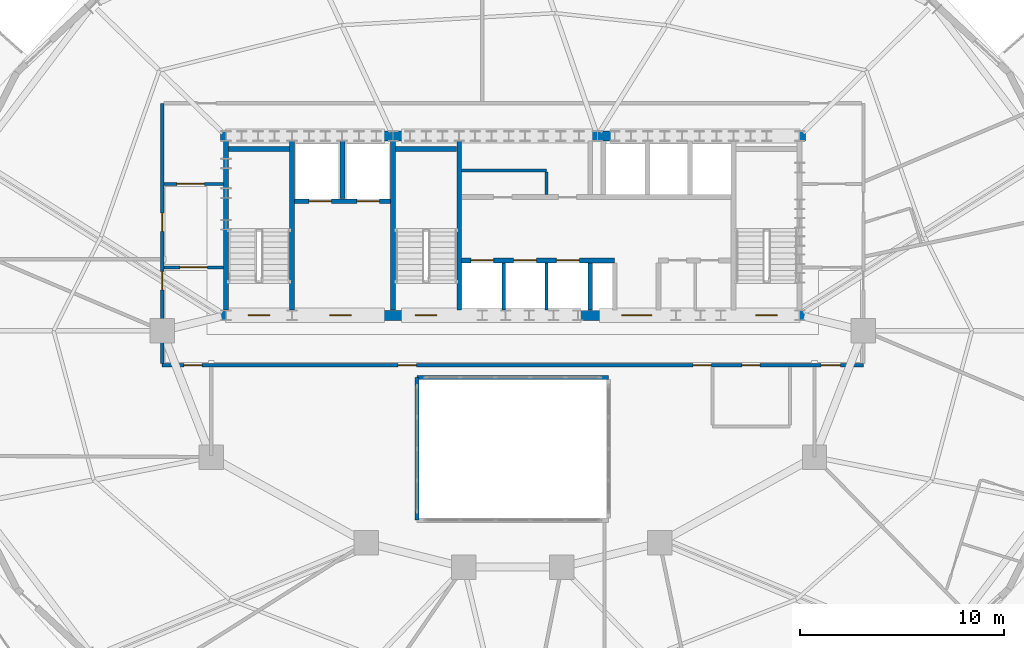
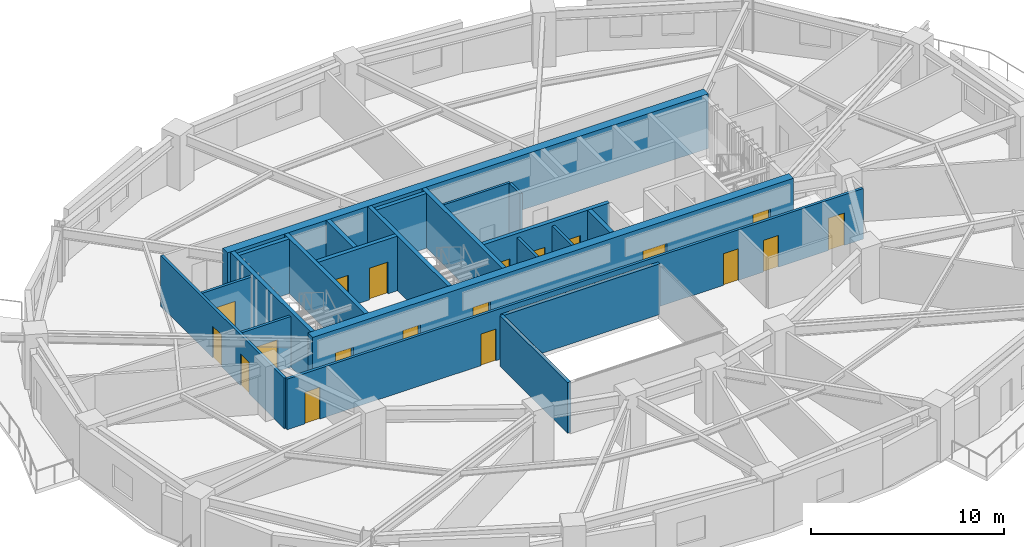
# One storey, part 7 of 12: 22 walls, 19 doors, 19 openings.
"""IFC4 building model written with IfcOpenShell, lengths in metres."""

from ifc_helpers import new_model, si_unit, direction, frame, frame_2d, origin, place, context, subcontext, project, spatial, rectangle, extrude, material, layer, layer_set, type_object, element, fill, save


model = new_model("IFC4")

# Units and contexts
model_context = context("Model", 3, precision=1e-05, world=origin(), true_north=direction((0.0, 1.0)))
body_context = subcontext(model_context, "Body", "Model", "MODEL_VIEW")
ifc_project = project(units=[si_unit("LENGTHUNIT", "METRE"), si_unit("AREAUNIT", "SQUARE_METRE"), si_unit("VOLUMEUNIT", "CUBIC_METRE"), si_unit("PLANEANGLEUNIT", "RADIAN"), si_unit("MASSUNIT", "GRAM", prefix="KILO")], contexts=[model_context])

# Site, building, storey
site_placement = place(None, origin())
site = spatial("IfcSite", under=ifc_project, at=site_placement, CompositionType="ELEMENT")
building_placement = place(site_placement, origin())
building = spatial("IfcBuilding", under=site, at=building_placement, Name="Haldorwick Loom Tower", CompositionType="ELEMENT")
storey_placement = place(building_placement, frame((0.0, 0.0, 113.89990234375)))
storey = spatial("IfcBuildingStorey", under=building, at=storey_placement, Name="L30", CompositionType="ELEMENT", Elevation=113.89990234375)

# Wall, openings, doors
ifc_material_1 = material(Name="Fire-Rated Type X Gypsum Stud Assembly EI 60")
ifc_layer_1 = layer(ifc_material_1, 0.159912109375, Name="Fire-Rated Type X Gypsum Stud Assembly EI 60")
ifc_layer_set_1 = layer_set([ifc_layer_1], Name="Fire-Rated Type X Gypsum Stud Assembly EI 60")
wall_type_1 = type_object("IfcWallType", Name="ARC-WL-FIRE160", PredefinedType="PARTITIONING", material=ifc_layer_set_1)
wall_1_placement = place(storey_placement, frame((18.800048828125, 24.300048828125, 0.0), z_axis=(0.0, 0.0, 1.0), x_axis=(1.0, 0.0, 0.0)))
wall_1 = element("IfcWall", 1, at=wall_1_placement, inside=storey, type_object=wall_type_1, Name="L30 Residential Fire Partition L30-CR-SP", PredefinedType="PARTITIONING", context=body_context, shape_type="SweptSolid", body=[
    extrude(rectangle(XDim=34.39990234375, YDim=0.159912109375, at=frame_2d((17.199951171875, 0.0))), origin(), (0.0, 0.0, 1.0), 3.195068359375),
])
opening_1_placement = place(wall_1_placement, frame((11.56787109375, 0.0, 0.0)))
opening_1 = element("IfcOpeningElement", 2, at=opening_1_placement, cuts=wall_1, Name="Opening D-FD60A", PredefinedType="OPENING", context=body_context, shape_type="SweptSolid", body=[
    extrude(rectangle(XDim=0.89990234375, YDim=2.0, at=frame_2d((0.449951171875, 1.0))), frame((0.0, 0.08984375, 0.0), z_axis=(0.0, -1.0, 0.0), x_axis=(1.0, 0.0, 0.0)), (0.0, 0.0, 1.0), 0.179931640625),
])
opening_2_placement = place(wall_1_placement, frame((26.04150390625, 0.0, 0.0)))
opening_2 = element("IfcOpeningElement", 3, at=opening_2_placement, cuts=wall_1, Name="Opening D-FD60A", PredefinedType="OPENING", context=body_context, shape_type="SweptSolid", body=[
    extrude(rectangle(XDim=0.89990234375, YDim=2.0, at=frame_2d((0.449951171875, 1.0))), frame((0.0, 0.08984375, 0.0), z_axis=(0.0, -1.0, 0.0), x_axis=(1.0, 0.0, 0.0)), (0.0, 0.0, 1.0), 0.179931640625),
])
opening_3_placement = place(wall_1_placement, frame((28.437255859375, 0.0, 0.0)))
opening_3 = element("IfcOpeningElement", 4, at=opening_3_placement, cuts=wall_1, Name="Opening D-FD60A", PredefinedType="OPENING", context=body_context, shape_type="SweptSolid", body=[
    extrude(rectangle(XDim=0.89990234375, YDim=2.0, at=frame_2d((0.449951171875, 1.0))), frame((0.0, 0.08984375, 0.0), z_axis=(0.0, -1.0, 0.0), x_axis=(1.0, 0.0, 0.0)), (0.0, 0.0, 1.0), 0.179931640625),
])
opening_4_placement = place(wall_1_placement, frame((1.063232421875, 0.0, 0.0)))
opening_4 = element("IfcOpeningElement", 5, at=opening_4_placement, cuts=wall_1, Name="Opening D-FD60A", PredefinedType="OPENING", context=body_context, shape_type="SweptSolid", body=[
    extrude(rectangle(XDim=0.89990234375, YDim=2.0, at=frame_2d((0.449951171875, 1.0))), frame((0.0, 0.08984375, 0.0), z_axis=(0.0, -1.0, 0.0), x_axis=(1.0, 0.0, 0.0)), (0.0, 0.0, 1.0), 0.179931640625),
])
opening_5_placement = place(wall_1_placement, frame((32.319091796875, 0.0, 0.0)))
opening_5 = element("IfcOpeningElement", 6, at=opening_5_placement, cuts=wall_1, Name="Opening D-FL95", PredefinedType="OPENING", context=body_context, shape_type="SweptSolid", body=[
    extrude(rectangle(XDim=0.949951171875, YDim=2.0400390625, at=frame_2d((0.47509765625, 1.02001953125))), frame((0.0, 0.08984375, 0.0), z_axis=(0.0, -1.0, 0.0), x_axis=(1.0, 0.0, 0.0)), (0.0, 0.0, 1.0), 0.179931640625),
])
ifc_material_2 = material(Name="Hollow Steel Fire Door Assembly", Category="steel")
door_type_1 = type_object("IfcDoorType", Name="ARC-DR-FD60-90", OperationType="NOTDEFINED", PredefinedType="DOOR", material=ifc_material_2)
door_1_placement = place(opening_1_placement, origin())
door_1 = element("IfcDoor", 7, at=door_1_placement, inside=storey, type_object=door_type_1, Name="L30 L30 Central Residential Corridor to Tenant Seminar Meeting Room 1 Do", OperationType="SINGLE_SWING_LEFT", OverallHeight=2.0, OverallWidth=0.89990234375, PredefinedType="DOOR", context=body_context, shape_type="SweptSolid", body=[
    extrude(rectangle(XDim=0.89990234375, YDim=2.0, at=frame_2d((0.449951171875, 1.0))), frame((0.0, 0.02490234375, 0.0), z_axis=(0.0, -1.0, 0.0), x_axis=(1.0, 0.0, 0.0)), (0.0, 0.0, 1.0), 0.050048828125),
])
fill(opening_1, door_1)
door_2_placement = place(opening_2_placement, origin())
door_2 = element("IfcDoor", 8, at=door_2_placement, inside=storey, type_object=door_type_1, Name="L30 L30 Central Residential Corridor to Tenant Seminar Meeting Room 2 Do", OperationType="SINGLE_SWING_RIGHT", OverallHeight=2.0, OverallWidth=0.89990234375, PredefinedType="DOOR", context=body_context, shape_type="SweptSolid", body=[
    extrude(rectangle(XDim=0.89990234375, YDim=2.0, at=frame_2d((0.449951171875, 1.0))), frame((0.0, 0.02490234375, 0.0), z_axis=(0.0, -1.0, 0.0), x_axis=(1.0, 0.0, 0.0)), (0.0, 0.0, 1.0), 0.050048828125),
])
fill(opening_2, door_2)
door_3_placement = place(opening_3_placement, origin())
door_3 = element("IfcDoor", 9, at=door_3_placement, inside=storey, type_object=door_type_1, Name="L30 L30 Central Residential Corridor to Common Accessible WC Door", OperationType="SINGLE_SWING_LEFT", OverallHeight=2.0, OverallWidth=0.89990234375, PredefinedType="DOOR", context=body_context, shape_type="SweptSolid", body=[
    extrude(rectangle(XDim=0.89990234375, YDim=2.0, at=frame_2d((0.449951171875, 1.0))), frame((0.0, 0.02490234375, 0.0), z_axis=(0.0, -1.0, 0.0), x_axis=(1.0, 0.0, 0.0)), (0.0, 0.0, 1.0), 0.050048828125),
])
fill(opening_3, door_3)
door_4_placement = place(opening_4_placement, origin())
door_4 = element("IfcDoor", 10, at=door_4_placement, inside=storey, type_object=door_type_1, Name="L30 L30 Central Residential Corridor to Tenant Seminar Meeting Room 2 Do", OperationType="SINGLE_SWING_LEFT", OverallHeight=2.0, OverallWidth=0.89990234375, PredefinedType="DOOR", context=body_context, shape_type="SweptSolid", body=[
    extrude(rectangle(XDim=0.89990234375, YDim=2.0, at=frame_2d((0.449951171875, 1.0))), frame((0.0, 0.02490234375, 0.0), z_axis=(0.0, -1.0, 0.0), x_axis=(1.0, 0.0, 0.0)), (0.0, 0.0, 1.0), 0.050048828125),
])
fill(opening_4, door_4)
ifc_material_3 = material(Name="Solid Core Birch Architectural Door")
door_type_2 = type_object("IfcDoorType", Name="ARC-DR-FLAT95", OperationType="NOTDEFINED", PredefinedType="DOOR", material=ifc_material_3)
door_5_placement = place(opening_5_placement, origin())
door_5 = element("IfcDoor", 11, at=door_5_placement, inside=storey, type_object=door_type_2, Name="L30 L30 Central Residential Corridor to Unit 30A Kitchen and Penthouse L", OperationType="SINGLE_SWING_RIGHT", OverallHeight=2.0400390625, OverallWidth=0.949951171875, PredefinedType="DOOR", context=body_context, shape_type="SweptSolid", body=[
    extrude(rectangle(XDim=0.949951171875, YDim=2.0400390625, at=frame_2d((0.47509765625, 1.02001953125))), frame((0.0, 0.02490234375, 0.0), z_axis=(0.0, -1.0, 0.0), x_axis=(1.0, 0.0, 0.0)), (0.0, 0.0, 1.0), 0.050048828125),
])
fill(opening_5, door_5)

wall_2_placement = place(storey_placement, frame((18.800048828125, 24.383056640625, 0.0), z_axis=(0.0, 0.0, 1.0), x_axis=(0.0, 1.0, 0.0)))
wall_2 = element("IfcWall", 12, at=wall_2_placement, inside=storey, type_object=wall_type_1, Name="L30 Residential Fire Partition L30-CR-W0", PredefinedType="PARTITIONING", context=body_context, shape_type="SweptSolid", body=[
    extrude(rectangle(XDim=12.766845703125, YDim=0.159912109375, at=frame_2d((6.38330078125, 0.0))), origin(), (0.0, 0.0, 1.0), 3.195068359375),
])
opening_6_placement = place(wall_2_placement, frame((6.48388671875, 0.0, 0.0)))
opening_6 = element("IfcOpeningElement", 13, at=opening_6_placement, cuts=wall_2, Name="Opening D-FD60A", PredefinedType="OPENING", context=body_context, shape_type="SweptSolid", body=[
    extrude(rectangle(XDim=0.89990234375, YDim=2.0, at=frame_2d((0.449951171875, 1.0))), frame((0.0, 0.08984375, 0.0), z_axis=(0.0, -1.0, 0.0), x_axis=(1.0, 0.0, 0.0)), (0.0, 0.0, 1.0), 0.179931640625),
])
opening_7_placement = place(wall_2_placement, frame((3.62158203125, 0.0, 0.0)))
opening_7 = element("IfcOpeningElement", 14, at=opening_7_placement, cuts=wall_2, Name="Opening D-FD60A", PredefinedType="OPENING", context=body_context, shape_type="SweptSolid", body=[
    extrude(rectangle(XDim=0.89990234375, YDim=2.0, at=frame_2d((0.449951171875, 1.0))), frame((0.0, 0.08984375, 0.0), z_axis=(0.0, -1.0, 0.0), x_axis=(1.0, 0.0, 0.0)), (0.0, 0.0, 1.0), 0.179931640625),
])
door_6_placement = place(opening_6_placement, origin())
door_6 = element("IfcDoor", 15, at=door_6_placement, inside=storey, type_object=door_type_1, Name="L30 Tenant Seminar Meeting Room 6 to L30 West Residential Corridor Door", OperationType="SINGLE_SWING_RIGHT", OverallHeight=2.0, OverallWidth=0.89990234375, PredefinedType="DOOR", context=body_context, shape_type="SweptSolid", body=[
    extrude(rectangle(XDim=0.89990234375, YDim=2.0, at=frame_2d((0.449951171875, 1.0))), frame((0.0, 0.02490234375, 0.0), z_axis=(0.0, -1.0, 0.0), x_axis=(1.0, 0.0, 0.0)), (0.0, 0.0, 1.0), 0.050048828125),
])
fill(opening_6, door_6)
door_7_placement = place(opening_7_placement, frame((0.89990234375, 0.0, 0.0), z_axis=(0.0, 0.0, 1.0), x_axis=(-1.0, 0.0, 0.0)))
door_7 = element("IfcDoor", 16, at=door_7_placement, inside=storey, type_object=door_type_1, Name="L30 Community Library Room 1 to L30 Central Residential Corridor Door", OperationType="SINGLE_SWING_LEFT", OverallHeight=2.0, OverallWidth=0.89990234375, PredefinedType="DOOR", context=body_context, shape_type="SweptSolid", body=[
    extrude(rectangle(XDim=0.89990234375, YDim=2.0, at=frame_2d((0.449951171875, 1.0))), frame((0.0, 0.02490234375, 0.0), z_axis=(0.0, -1.0, 0.0), x_axis=(1.0, 0.0, 0.0)), (0.0, 0.0, 1.0), 0.050048828125),
])
fill(opening_7, door_7)

# Wall, opening, door
wall_3_placement = place(storey_placement, frame((18.883056640625, 29.10009765625, 0.0), z_axis=(0.0, 0.0, 1.0), x_axis=(1.0, 0.0, 0.0)))
wall_3 = element("IfcWall", 17, at=wall_3_placement, inside=storey, type_object=wall_type_1, Name="L30 Residential Fire Partition L30-CR-WSJ", PredefinedType="PARTITIONING", context=body_context, shape_type="SweptSolid", body=[
    extrude(rectangle(XDim=2.923828125, YDim=0.159912109375, at=frame_2d((1.4619140625, 0.0))), origin(), (0.0, 0.0, 1.0), 3.195068359375),
])
opening_8_placement = place(wall_3_placement, frame((0.787109375, 0.0, 0.0)))
opening_8 = element("IfcOpeningElement", 18, at=opening_8_placement, cuts=wall_3, Name="Opening D-CR15", PredefinedType="OPENING", context=body_context, shape_type="SweptSolid", body=[
    extrude(rectangle(XDim=1.35009765625, YDim=2.0, at=frame_2d((0.675048828125, 1.0))), frame((0.0, 0.08984375, 0.0), z_axis=(0.0, -1.0, 0.0), x_axis=(1.0, 0.0, 0.0)), (0.0, 0.0, 1.0), 0.179931640625),
])
ifc_material_4 = material(Name="Thermally Broken Anodized Aluminium and Tempered Glass", Category="aluminium")
door_type_3 = type_object("IfcDoorType", Name="ARC-DR-COR150", OperationType="NOTDEFINED", PredefinedType="DOOR", material=ifc_material_4)
door_8_placement = place(opening_8_placement, origin())
door_8 = element("IfcDoor", 19, at=door_8_placement, inside=storey, type_object=door_type_3, Name="L30 L30 West Residential Corridor to L30 Central Residential Corridor Do", OperationType="DOUBLE_DOOR_SINGLE_SWING", OverallHeight=2.0, OverallWidth=1.35009765625, PredefinedType="DOOR", context=body_context, shape_type="SweptSolid", body=[
    extrude(rectangle(XDim=1.35009765625, YDim=2.0, at=frame_2d((0.675048828125, 1.0))), frame((0.0, 0.02490234375, 0.0), z_axis=(0.0, -1.0, 0.0), x_axis=(1.0, 0.0, 0.0)), (0.0, 0.0, 1.0), 0.050048828125),
])
fill(opening_8, door_8)

wall_4_placement = place(storey_placement, frame((18.883056640625, 33.199951171875, 0.0), z_axis=(0.0, 0.0, 1.0), x_axis=(1.0, 0.0, 0.0)))
wall_4 = element("IfcWall", 20, at=wall_4_placement, inside=storey, type_object=wall_type_1, Name="L30 Residential Fire Partition L30-CR-WNJ", PredefinedType="PARTITIONING", context=body_context, shape_type="SweptSolid", body=[
    extrude(rectangle(XDim=2.923828125, YDim=0.159912109375, at=frame_2d((1.4619140625, 0.0))), origin(), (0.0, 0.0, 1.0), 3.195068359375),
])
opening_9_placement = place(wall_4_placement, frame((0.637939453125, 0.0, 0.0)))
opening_9 = element("IfcOpeningElement", 21, at=opening_9_placement, cuts=wall_4, Name="Opening D-CR15", PredefinedType="OPENING", context=body_context, shape_type="SweptSolid", body=[
    extrude(rectangle(XDim=1.35009765625, YDim=2.0, at=frame_2d((0.675048828125, 1.0))), frame((0.0, 0.08984375, 0.0), z_axis=(0.0, -1.0, 0.0), x_axis=(1.0, 0.0, 0.0)), (0.0, 0.0, 1.0), 0.179931640625),
])
door_9_placement = place(opening_9_placement, origin())
door_9 = element("IfcDoor", 22, at=door_9_placement, inside=storey, type_object=door_type_3, Name="L30 L30 North Residential Corridor to L30 West Residential Corridor Door", OperationType="DOUBLE_DOOR_SINGLE_SWING", OverallHeight=2.0, OverallWidth=1.35009765625, PredefinedType="DOOR", context=body_context, shape_type="SweptSolid", body=[
    extrude(rectangle(XDim=1.35009765625, YDim=2.0, at=frame_2d((0.675048828125, 1.0))), frame((0.0, 0.02490234375, 0.0), z_axis=(0.0, -1.0, 0.0), x_axis=(1.0, 0.0, 0.0)), (0.0, 0.0, 1.0), 0.050048828125),
])
fill(opening_9, door_9)

# Walls
ifc_material_5 = material(Name="Fire-Rated Type X Gypsum Stud Assembly EI 120")
ifc_layer_2 = layer(ifc_material_5, 0.199951171875, Name="Fire-Rated Type X Gypsum Stud Assembly EI 120")
ifc_layer_set_2 = layer_set([ifc_layer_2], Name="Fire-Rated Type X Gypsum Stud Assembly EI 120")
wall_type_2 = type_object("IfcWallType", Name="ARC-WL-FIRE200", PredefinedType="PARTITIONING", material=ifc_layer_set_2)
wall_5_placement = place(storey_placement, frame((31.300048828125, 23.699951171875, 0.0), z_axis=(0.0, 0.0, 1.0), x_axis=(1.0, 0.0, 0.0)))
element("IfcWall", 23, at=wall_5_placement, inside=storey, type_object=wall_type_2, Name="L30 Atrium Fire Enclosure Wall N", PredefinedType="PARTITIONING", context=body_context, shape_type="SweptSolid", body=[
    extrude(rectangle(XDim=9.39990234375, YDim=0.199951171875, at=frame_2d((4.699951171875, 0.0))), origin(), (0.0, 0.0, 1.0), 3.195068359375),
])
wall_6_placement = place(storey_placement, frame((31.300048828125, 16.699951171875, 0.0), z_axis=(0.0, 0.0, 1.0), x_axis=(0.0, 1.0, 0.0)))
element("IfcWall", 24, at=wall_6_placement, inside=storey, type_object=wall_type_2, Name="L30 Atrium Fire Enclosure Wall W", PredefinedType="PARTITIONING", context=body_context, shape_type="SweptSolid", body=[
    extrude(rectangle(XDim=7.0, YDim=0.199951171875, at=frame_2d((3.5, 0.0))), origin(), (0.0, 0.0, 1.0), 3.195068359375),
])
ifc_layer_3 = layer(ifc_material_1, 0.139892578125, Name="Fire-Rated Type X Gypsum Stud Assembly EI 60")
ifc_layer_set_3 = layer_set([ifc_layer_3], Name="Fire-Rated Type X Gypsum Stud Assembly EI 60")
wall_type_3 = type_object("IfcWallType", Name="ARC-WL-PART140", PredefinedType="PARTITIONING", material=ifc_layer_set_3)
wall_7_placement = place(storey_placement, frame((33.492919921875, 33.85009765625, 0.0), z_axis=(0.0, 0.0, 1.0), x_axis=(1.0, 0.0, 0.0)))
element("IfcWall", 25, at=wall_7_placement, inside=storey, type_object=wall_type_3, Name="L30 Storage South Partition", PredefinedType="PARTITIONING", context=body_context, shape_type="SweptSolid", body=[
    extrude(rectangle(XDim=4.156982421875, YDim=0.139892578125, at=frame_2d((2.07861328125, 0.0))), origin(), (0.0, 0.0, 1.0), 3.195068359375),
])
wall_8_placement = place(storey_placement, frame((37.64990234375, 32.673095703125, 0.0), z_axis=(0.0, 0.0, 1.0), x_axis=(0.0, 1.0, 0.0)))
element("IfcWall", 26, at=wall_8_placement, inside=storey, type_object=wall_type_3, Name="L30 Storage East Partition", PredefinedType="PARTITIONING", context=body_context, shape_type="SweptSolid", body=[
    extrude(rectangle(XDim=1.10400390625, YDim=0.139892578125, at=frame_2d((0.552001953125, 0.0))), origin(), (0.0, 0.0, 1.0), 3.195068359375),
])
ifc_layer_4 = layer(ifc_material_5, 0.1650390625, Name="Fire-Rated Type X Gypsum Stud Assembly EI 120")
ifc_layer_set_4 = layer_set([ifc_layer_4], Name="Fire-Rated Type X Gypsum Stud Assembly EI 120")
wall_type_4 = type_object("IfcWallType", Name="ARC-WL-SHAFT160", PredefinedType="MOVABLE", material=ifc_layer_set_4)
for number, where, z_axis, x_axis, name in (
    (27, (35.550048828125, 27.0029296875, 0.0), (0.0, 0.0, 1.0), (0.0, 1.0, 0.0), "L30 Mid-Rise Hoistway Divider 1"),
    (28, (37.64990234375, 27.0029296875, 0.0), (0.0, 0.0, 1.0), (0.0, 1.0, 0.0), "L30 Mid-Rise Hoistway Divider 2"),
):
    element("IfcWall", number, at=place(storey_placement, frame(where, z_axis=z_axis, x_axis=x_axis)), inside=storey, type_object=wall_type_4, Name=name, PredefinedType="MOVABLE", context=body_context, shape_type="SweptSolid", body=[
        extrude(rectangle(XDim=2.323974609375, YDim=0.159912109375, at=frame_2d((1.162109375, 0.0))), origin(), (0.0, 0.0, 1.0), 3.195068359375),
    ])

# Wall, openings, doors
ifc_material_6 = material(Name="Concrete C60 (60 MPa)", Category="concrete")
ifc_layer_5 = layer(ifc_material_6, 0.5, Name="Concrete C60 (60 MPa)", Category="concrete")
ifc_layer_set_5 = layer_set([ifc_layer_5], Name="Concrete C60 (60 MPa)")
wall_type_5 = type_object("IfcWallType", Name="STR-WL-CORE500", PredefinedType="SHEAR", material=ifc_layer_set_5)
wall_9_placement = place(storey_placement, frame((21.64990234375, 26.75, 0.0), z_axis=(0.0, 0.0, 1.0), x_axis=(1.0, 0.0, 0.0)))
wall_9 = element("IfcWall", 29, at=wall_9_placement, inside=storey, type_object=wall_type_5, Name="L30 Core Shear Wall S", PredefinedType="SHEAR", context=body_context, shape_type="SweptSolid", body=[
    extrude(rectangle(XDim=28.7001953125, YDim=0.5, at=frame_2d((14.35009765625, 0.0))), origin(), (0.0, 0.0, 1.0), 3.4501953125),
])
opening_10_placement = place(wall_9_placement, frame((1.375, 0.0, 0.0)))
opening_10 = element("IfcOpeningElement", 30, at=opening_10_placement, cuts=wall_9, Name="Opening D-FD60", PredefinedType="OPENING", context=body_context, shape_type="SweptSolid", body=[
    extrude(rectangle(XDim=1.050048828125, YDim=2.0, at=frame_2d((0.52490234375, 1.0))), frame((0.0, 0.260009765625, 0.0), z_axis=(0.0, -1.0, 0.0), x_axis=(1.0, 0.0, 0.0)), (0.0, 0.0, 1.0), 0.52001953125),
])
opening_11_placement = place(wall_9_placement, frame((5.375, 0.0, 0.0)))
opening_11 = element("IfcOpeningElement", 31, at=opening_11_placement, cuts=wall_9, Name="Opening D-FD60", PredefinedType="OPENING", context=body_context, shape_type="SweptSolid", body=[
    extrude(rectangle(XDim=1.050048828125, YDim=2.0, at=frame_2d((0.52490234375, 1.0))), frame((0.0, 0.260009765625, 0.0), z_axis=(0.0, -1.0, 0.0), x_axis=(1.0, 0.0, 0.0)), (0.0, 0.0, 1.0), 0.52001953125),
])
opening_12_placement = place(wall_9_placement, frame((9.574951171875, 0.0, 0.0)))
opening_12 = element("IfcOpeningElement", 32, at=opening_12_placement, cuts=wall_9, Name="Opening D-FD60", PredefinedType="OPENING", context=body_context, shape_type="SweptSolid", body=[
    extrude(rectangle(XDim=1.050048828125, YDim=2.0, at=frame_2d((0.52490234375, 1.0))), frame((0.0, 0.260009765625, 0.0), z_axis=(0.0, -1.0, 0.0), x_axis=(1.0, 0.0, 0.0)), (0.0, 0.0, 1.0), 0.52001953125),
])
opening_13_placement = place(wall_9_placement, frame((19.705078125, 0.0, 0.0)))
opening_13 = element("IfcOpeningElement", 33, at=opening_13_placement, cuts=wall_9, Name="Opening D-LB15", PredefinedType="OPENING", context=body_context, shape_type="SweptSolid", body=[
    extrude(rectangle(XDim=1.449951171875, YDim=2.0, at=frame_2d((0.72509765625, 1.0))), frame((0.0, 0.260009765625, 0.0), z_axis=(0.0, -1.0, 0.0), x_axis=(1.0, 0.0, 0.0)), (0.0, 0.0, 1.0), 0.52001953125),
])
opening_14_placement = place(wall_9_placement, frame((26.27490234375, 0.0, 0.0)))
opening_14 = element("IfcOpeningElement", 34, at=opening_14_placement, cuts=wall_9, Name="Opening D-FD60", PredefinedType="OPENING", context=body_context, shape_type="SweptSolid", body=[
    extrude(rectangle(XDim=1.050048828125, YDim=2.0, at=frame_2d((0.52490234375, 1.0))), frame((0.0, 0.260009765625, 0.0), z_axis=(0.0, -1.0, 0.0), x_axis=(1.0, 0.0, 0.0)), (0.0, 0.0, 1.0), 0.52001953125),
])
door_type_4 = type_object("IfcDoorType", Name="ARC-DR-FD60", OperationType="NOTDEFINED", PredefinedType="DOOR", material=ifc_material_2)
door_10_placement = place(opening_10_placement, origin())
door_10 = element("IfcDoor", 35, at=door_10_placement, inside=storey, type_object=door_type_4, Name="L30 Exit Stair ST-01 Fire Door", OperationType="SINGLE_SWING_RIGHT", OverallHeight=2.0, OverallWidth=1.050048828125, PredefinedType="DOOR", context=body_context, shape_type="SweptSolid", body=[
    extrude(rectangle(XDim=1.050048828125, YDim=2.0, at=frame_2d((0.52490234375, 1.0))), frame((0.0, 0.02490234375, 0.0), z_axis=(0.0, -1.0, 0.0), x_axis=(1.0, 0.0, 0.0)), (0.0, 0.0, 1.0), 0.050048828125),
])
fill(opening_10, door_10)
door_11_placement = place(opening_11_placement, origin())
door_11 = element("IfcDoor", 36, at=door_11_placement, inside=storey, type_object=door_type_4, Name="L30 Firefighting Lift Lobby Fire Door", OperationType="SINGLE_SWING_LEFT", OverallHeight=2.0, OverallWidth=1.050048828125, PredefinedType="DOOR", context=body_context, shape_type="SweptSolid", body=[
    extrude(rectangle(XDim=1.050048828125, YDim=2.0, at=frame_2d((0.52490234375, 1.0))), frame((0.0, 0.02490234375, 0.0), z_axis=(0.0, -1.0, 0.0), x_axis=(1.0, 0.0, 0.0)), (0.0, 0.0, 1.0), 0.050048828125),
])
fill(opening_11, door_11)
door_12_placement = place(opening_12_placement, origin())
door_12 = element("IfcDoor", 37, at=door_12_placement, inside=storey, type_object=door_type_4, Name="L30 Exit Stair ST-03 Fire Door", OperationType="SINGLE_SWING_LEFT", OverallHeight=2.0, OverallWidth=1.050048828125, PredefinedType="DOOR", context=body_context, shape_type="SweptSolid", body=[
    extrude(rectangle(XDim=1.050048828125, YDim=2.0, at=frame_2d((0.52490234375, 1.0))), frame((0.0, 0.02490234375, 0.0), z_axis=(0.0, -1.0, 0.0), x_axis=(1.0, 0.0, 0.0)), (0.0, 0.0, 1.0), 0.050048828125),
])
fill(opening_12, door_12)
door_13_placement = place(opening_14_placement, origin())
door_13 = element("IfcDoor", 38, at=door_13_placement, inside=storey, type_object=door_type_4, Name="L30 Exit Stair ST-02 Fire Door", OperationType="SINGLE_SWING_LEFT", OverallHeight=2.0, OverallWidth=1.050048828125, PredefinedType="DOOR", context=body_context, shape_type="SweptSolid", body=[
    extrude(rectangle(XDim=1.050048828125, YDim=2.0, at=frame_2d((0.52490234375, 1.0))), frame((0.0, 0.02490234375, 0.0), z_axis=(0.0, -1.0, 0.0), x_axis=(1.0, 0.0, 0.0)), (0.0, 0.0, 1.0), 0.050048828125),
])
fill(opening_14, door_13)
door_type_5 = type_object("IfcDoorType", Name="ARC-DR-LOB150", OperationType="NOTDEFINED", PredefinedType="DOOR", material=ifc_material_4)
door_14_placement = place(opening_13_placement, frame((1.449951171875, 0.0, 0.0), z_axis=(0.0, 0.0, 1.0), x_axis=(-1.0, 0.0, 0.0)))
door_14 = element("IfcDoor", 39, at=door_14_placement, inside=storey, type_object=door_type_5, Name="L30 Passenger Lift Lobby Fire Door", OperationType="DOUBLE_DOOR_SINGLE_SWING", OverallHeight=2.0, OverallWidth=1.449951171875, PredefinedType="DOOR", context=body_context, shape_type="SweptSolid", body=[
    extrude(rectangle(XDim=1.449951171875, YDim=2.0, at=frame_2d((0.72509765625, 1.0))), frame((0.0, 0.02490234375, 0.0), z_axis=(0.0, -1.0, 0.0), x_axis=(1.0, 0.0, 0.0)), (0.0, 0.0, 1.0), 0.050048828125),
])
fill(opening_13, door_14)

# Walls
wall_10_placement = place(storey_placement, frame((50.35009765625, 35.550048828125, 0.0), z_axis=(0.0, 0.0, 1.0), x_axis=(-1.0, 0.0, 0.0)))
element("IfcWall", 40, at=wall_10_placement, inside=storey, type_object=wall_type_5, Name="L30 Core Shear Wall N", PredefinedType="SHEAR", context=body_context, shape_type="SweptSolid", body=[
    extrude(rectangle(XDim=28.7001953125, YDim=0.5, at=frame_2d((14.35009765625, 0.0))), origin(), (0.0, 0.0, 1.0), 3.4501953125),
])
ifc_material_7 = material(Name="Concrete C50 (50 MPa)", Category="concrete")
ifc_layer_6 = layer(ifc_material_7, 0.239990234375, Name="Concrete C50 (50 MPa)", Category="concrete")
ifc_layer_set_6 = layer_set([ifc_layer_6], Name="Concrete C50 (50 MPa)")
wall_type_6 = type_object("IfcWallType", Name="STR-WL-SHAFT240", PredefinedType="SHEAR", material=ifc_layer_set_6)
for number, where, z_axis, x_axis, name in (
    (41, (21.929931640625, 35.297119140625, 0.0), (0.0, 0.0, 1.0), (0.0, -1.0, 0.0), "L30 Core Shear Wall W"),
    (42, (25.169921875, 27.0029296875, 0.0), (0.0, 0.0, 1.0), (0.0, 1.0, 0.0), "L30 Core Shear Wall 1"),
):
    element("IfcWall", number, at=place(storey_placement, frame(where, z_axis=z_axis, x_axis=x_axis)), inside=storey, type_object=wall_type_6, Name=name, PredefinedType="SHEAR", context=body_context, shape_type="SweptSolid", body=[
        extrude(rectangle(XDim=8.294189453125, YDim=0.239990234375, at=frame_2d((4.14697265625, 0.0))), origin(), (0.0, 0.0, 1.0), 3.4501953125),
    ])
wall_11_placement = place(storey_placement, frame((22.052978515625, 34.919921875, 0.0), z_axis=(0.0, 0.0, 1.0), x_axis=(1.0, 0.0, 0.0)))
element("IfcWall", 43, at=wall_11_placement, inside=storey, type_object=wall_type_6, Name="L30 Core Shear Wall 1N", PredefinedType="SHEAR", context=body_context, shape_type="SweptSolid", body=[
    extrude(rectangle(XDim=2.994140625, YDim=0.239990234375, at=frame_2d((1.4970703125, 0.0))), origin(), (0.0, 0.0, 1.0), 3.4501953125),
])
for number, where, z_axis, x_axis, name in (
    (44, (30.1298828125, 27.0029296875, 0.0), (0.0, 0.0, 1.0), (0.0, 1.0, 0.0), "L30 Core Shear Wall 2"),
    (45, (33.3701171875, 27.0029296875, 0.0), (0.0, 0.0, 1.0), (0.0, 1.0, 0.0), "L30 Core Shear Wall 3"),
):
    element("IfcWall", number, at=place(storey_placement, frame(where, z_axis=z_axis, x_axis=x_axis)), inside=storey, type_object=wall_type_6, Name=name, PredefinedType="SHEAR", context=body_context, shape_type="SweptSolid", body=[
        extrude(rectangle(XDim=8.294189453125, YDim=0.239990234375, at=frame_2d((4.14697265625, 0.0))), origin(), (0.0, 0.0, 1.0), 3.4501953125),
    ])
wall_12_placement = place(storey_placement, frame((30.2529296875, 34.919921875, 0.0), z_axis=(0.0, 0.0, 1.0), x_axis=(1.0, 0.0, 0.0)))
element("IfcWall", 46, at=wall_12_placement, inside=storey, type_object=wall_type_6, Name="L30 Core Shear Wall 3N", PredefinedType="SHEAR", context=body_context, shape_type="SweptSolid", body=[
    extrude(rectangle(XDim=2.994140625, YDim=0.239990234375, at=frame_2d((1.4970703125, 0.0))), origin(), (0.0, 0.0, 1.0), 3.4501953125),
])

# Wall, openings, doors
wall_13_placement = place(storey_placement, frame((25.29296875, 32.35009765625, 0.0), z_axis=(0.0, 0.0, 1.0), x_axis=(1.0, 0.0, 0.0)))
wall_13 = element("IfcWall", 47, at=wall_13_placement, inside=storey, type_object=wall_type_6, Name="L30 Core Shear Wall FF", PredefinedType="SHEAR", context=body_context, shape_type="SweptSolid", body=[
    extrude(rectangle(XDim=4.714111328125, YDim=0.239990234375, at=frame_2d((2.35693359375, 0.0))), origin(), (0.0, 0.0, 1.0), 3.4501953125),
])
opening_15_placement = place(wall_13_placement, frame((0.70703125, 0.0, 0.0)))
opening_15 = element("IfcOpeningElement", 48, at=opening_15_placement, cuts=wall_13, Name="Opening LD-FF1", PredefinedType="OPENING", context=body_context, shape_type="SweptSolid", body=[
    extrude(rectangle(XDim=1.10009765625, YDim=2.0, at=frame_2d((0.550048828125, 1.0))), frame((0.0, 0.1298828125, 0.0), z_axis=(0.0, -1.0, 0.0), x_axis=(1.0, 0.0, 0.0)), (0.0, 0.0, 1.0), 0.260009765625),
])
opening_16_placement = place(wall_13_placement, frame((3.056884765625, 0.0, 0.0)))
opening_16 = element("IfcOpeningElement", 49, at=opening_16_placement, cuts=wall_13, Name="Opening LD-FF2", PredefinedType="OPENING", context=body_context, shape_type="SweptSolid", body=[
    extrude(rectangle(XDim=1.10009765625, YDim=2.0, at=frame_2d((0.550048828125, 1.0))), frame((0.0, 0.1298828125, 0.0), z_axis=(0.0, -1.0, 0.0), x_axis=(1.0, 0.0, 0.0)), (0.0, 0.0, 1.0), 0.260009765625),
])
door_type_6 = type_object("IfcDoorType", Name="ARC-DR-LD-FF", OperationType="NOTDEFINED", PredefinedType="USERDEFINED", material=ifc_material_2)
door_15_placement = place(opening_15_placement, origin())
door_15 = element("IfcDoor", 50, at=door_15_placement, inside=storey, type_object=door_type_6, Name="L30 Lift LF-FF1 Sliding Landing Door", ObjectType="LANDING DOOR", OperationType="DOUBLE_DOOR_SLIDING", OverallHeight=2.0, OverallWidth=1.10009765625, PredefinedType="USERDEFINED", context=body_context, shape_type="SweptSolid", body=[
    extrude(rectangle(XDim=1.10009765625, YDim=2.0, at=frame_2d((0.550048828125, 1.0))), frame((0.0, 0.02490234375, 0.0), z_axis=(0.0, -1.0, 0.0), x_axis=(1.0, 0.0, 0.0)), (0.0, 0.0, 1.0), 0.050048828125),
])
fill(opening_15, door_15)
door_16_placement = place(opening_16_placement, origin())
door_16 = element("IfcDoor", 51, at=door_16_placement, inside=storey, type_object=door_type_6, Name="L30 Lift LF-FF2 Sliding Landing Door", ObjectType="LANDING DOOR", OperationType="DOUBLE_DOOR_SLIDING", OverallHeight=2.0, OverallWidth=1.10009765625, PredefinedType="USERDEFINED", context=body_context, shape_type="SweptSolid", body=[
    extrude(rectangle(XDim=1.10009765625, YDim=2.0, at=frame_2d((0.550048828125, 1.0))), frame((0.0, 0.02490234375, 0.0), z_axis=(0.0, -1.0, 0.0), x_axis=(1.0, 0.0, 0.0)), (0.0, 0.0, 1.0), 0.050048828125),
])
fill(opening_16, door_16)

# Wall
wall_14_placement = place(storey_placement, frame((27.64990234375, 32.472900390625, 0.0), z_axis=(0.0, 0.0, 1.0), x_axis=(0.0, 1.0, 0.0)))
element("IfcWall", 52, at=wall_14_placement, inside=storey, type_object=wall_type_6, Name="L30 Core Shear Wall FFD", PredefinedType="SHEAR", context=body_context, shape_type="SweptSolid", body=[
    extrude(rectangle(XDim=2.82421875, YDim=0.239990234375, at=frame_2d((1.412109375, 0.0))), origin(), (0.0, 0.0, 1.0), 3.4501953125),
])

# Wall, openings, doors
wall_15_placement = place(storey_placement, frame((33.492919921875, 29.449951171875, 0.0), z_axis=(0.0, 0.0, 1.0), x_axis=(1.0, 0.0, 0.0)))
wall_15 = element("IfcWall", 53, at=wall_15_placement, inside=storey, type_object=wall_type_6, Name="L30 Core Shear Wall LS1", PredefinedType="SHEAR", context=body_context, shape_type="SweptSolid", body=[
    extrude(rectangle(XDim=7.507080078125, YDim=0.239990234375, at=frame_2d((3.75341796875, 0.0))), origin(), (0.0, 0.0, 1.0), 3.4501953125),
])
opening_17_placement = place(wall_15_placement, frame((0.447021484375, 0.0, 0.0)))
opening_17 = element("IfcOpeningElement", 54, at=opening_17_placement, cuts=wall_15, Name="Opening LD-M1", PredefinedType="OPENING", context=body_context, shape_type="SweptSolid", body=[
    extrude(rectangle(XDim=1.1201171875, YDim=2.0, at=frame_2d((0.56005859375, 1.0))), frame((0.0, 0.1298828125, 0.0), z_axis=(0.0, -1.0, 0.0), x_axis=(1.0, 0.0, 0.0)), (0.0, 0.0, 1.0), 0.260009765625),
])
opening_18_placement = place(wall_15_placement, frame((2.547119140625, 0.0, 0.0)))
opening_18 = element("IfcOpeningElement", 55, at=opening_18_placement, cuts=wall_15, Name="Opening LD-M2", PredefinedType="OPENING", context=body_context, shape_type="SweptSolid", body=[
    extrude(rectangle(XDim=1.1201171875, YDim=2.0, at=frame_2d((0.56005859375, 1.0))), frame((0.0, 0.1298828125, 0.0), z_axis=(0.0, -1.0, 0.0), x_axis=(1.0, 0.0, 0.0)), (0.0, 0.0, 1.0), 0.260009765625),
])
opening_19_placement = place(wall_15_placement, frame((4.64697265625, 0.0, 0.0)))
opening_19 = element("IfcOpeningElement", 56, at=opening_19_placement, cuts=wall_15, Name="Opening LD-M3", PredefinedType="OPENING", context=body_context, shape_type="SweptSolid", body=[
    extrude(rectangle(XDim=1.1201171875, YDim=2.0, at=frame_2d((0.56005859375, 1.0))), frame((0.0, 0.1298828125, 0.0), z_axis=(0.0, -1.0, 0.0), x_axis=(1.0, 0.0, 0.0)), (0.0, 0.0, 1.0), 0.260009765625),
])
door_type_7 = type_object("IfcDoorType", Name="ARC-DR-LD-PAX", OperationType="NOTDEFINED", PredefinedType="USERDEFINED", material=ifc_material_2)
door_17_placement = place(opening_17_placement, origin())
door_17 = element("IfcDoor", 57, at=door_17_placement, inside=storey, type_object=door_type_7, Name="L30 Lift LF-M1 Sliding Landing Door", ObjectType="LANDING DOOR", OperationType="DOUBLE_DOOR_SLIDING", OverallHeight=2.0, OverallWidth=1.1201171875, PredefinedType="USERDEFINED", context=body_context, shape_type="SweptSolid", body=[
    extrude(rectangle(XDim=1.1201171875, YDim=2.0, at=frame_2d((0.56005859375, 1.0))), frame((0.0, 0.02490234375, 0.0), z_axis=(0.0, -1.0, 0.0), x_axis=(1.0, 0.0, 0.0)), (0.0, 0.0, 1.0), 0.050048828125),
])
fill(opening_17, door_17)
door_18_placement = place(opening_18_placement, origin())
door_18 = element("IfcDoor", 58, at=door_18_placement, inside=storey, type_object=door_type_7, Name="L30 Lift LF-M2 Sliding Landing Door", ObjectType="LANDING DOOR", OperationType="DOUBLE_DOOR_SLIDING", OverallHeight=2.0, OverallWidth=1.1201171875, PredefinedType="USERDEFINED", context=body_context, shape_type="SweptSolid", body=[
    extrude(rectangle(XDim=1.1201171875, YDim=2.0, at=frame_2d((0.56005859375, 1.0))), frame((0.0, 0.02490234375, 0.0), z_axis=(0.0, -1.0, 0.0), x_axis=(1.0, 0.0, 0.0)), (0.0, 0.0, 1.0), 0.050048828125),
])
fill(opening_18, door_18)
door_19_placement = place(opening_19_placement, origin())
door_19 = element("IfcDoor", 59, at=door_19_placement, inside=storey, type_object=door_type_7, Name="L30 Lift LF-M3 Sliding Landing Door", ObjectType="LANDING DOOR", OperationType="DOUBLE_DOOR_SLIDING", OverallHeight=2.0, OverallWidth=1.1201171875, PredefinedType="USERDEFINED", context=body_context, shape_type="SweptSolid", body=[
    extrude(rectangle(XDim=1.1201171875, YDim=2.0, at=frame_2d((0.56005859375, 1.0))), frame((0.0, 0.02490234375, 0.0), z_axis=(0.0, -1.0, 0.0), x_axis=(1.0, 0.0, 0.0)), (0.0, 0.0, 1.0), 0.050048828125),
])
fill(opening_19, door_19)

# Wall
wall_16_placement = place(storey_placement, frame((39.800048828125, 27.0029296875, 0.0), z_axis=(0.0, 0.0, 1.0), x_axis=(0.0, 1.0, 0.0)))
element("IfcWall", 60, at=wall_16_placement, inside=storey, type_object=wall_type_6, Name="L30 Core Shear Wall MRW", PredefinedType="SHEAR", context=body_context, shape_type="SweptSolid", body=[
    extrude(rectangle(XDim=2.323974609375, YDim=0.239990234375, at=frame_2d((1.162109375, 0.0))), origin(), (0.0, 0.0, 1.0), 3.4501953125),
])

save(model, "model.ifc")
